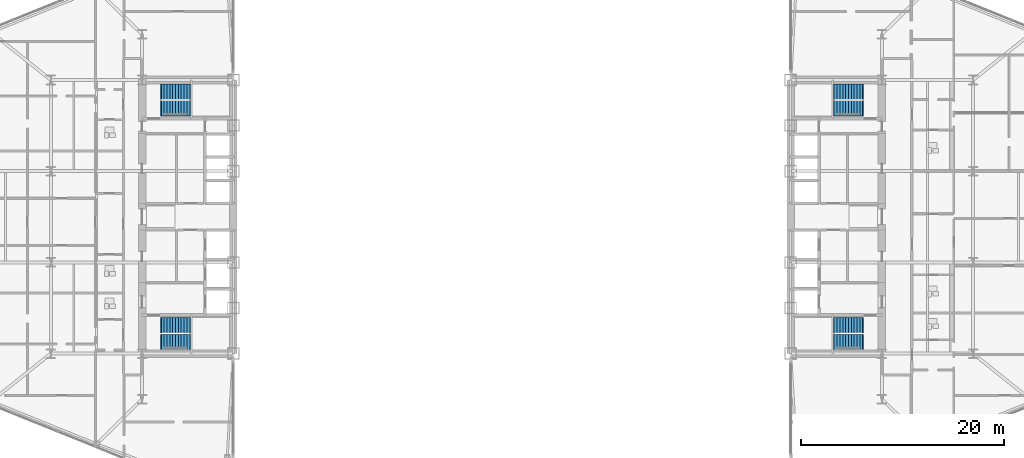
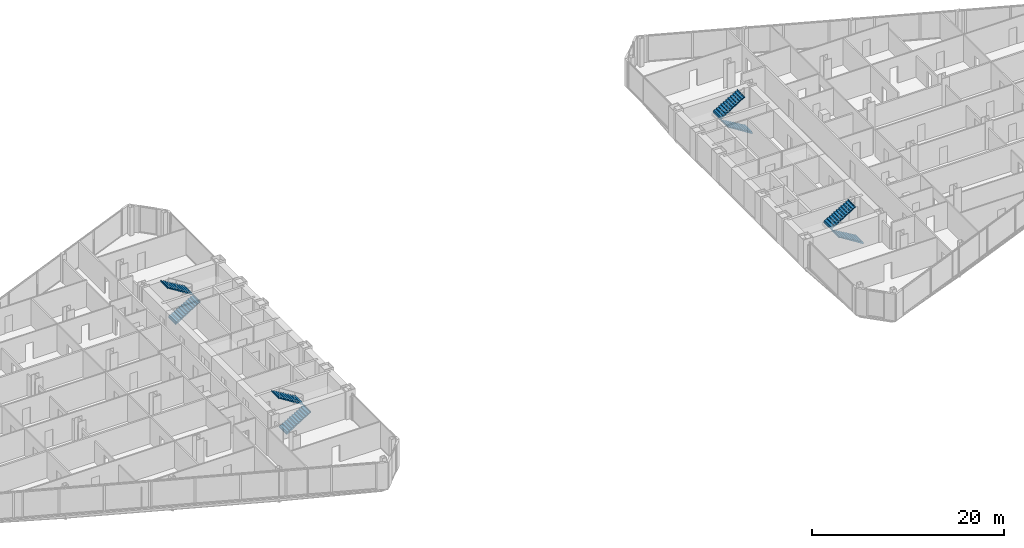
# One storey, part 23 of 25: 8 stair flights, 4 elements without a shape of their own.
"""IFC4 building model written with IfcOpenShell, lengths in metres."""

from ifc_helpers import new_model, si_unit, direction, frame, origin, place, context, subcontext, project, spatial, polyline, outline, extrude, material, type_object, element, aggregate, save


model = new_model("IFC4")

# Units and contexts
model_context = context("Model", 3, precision=1e-05, world=origin(), true_north=direction((0.0, 1.0)))
body_context = subcontext(model_context, "Body", "Model", "MODEL_VIEW")
ifc_project = project(units=[si_unit("LENGTHUNIT", "METRE"), si_unit("AREAUNIT", "SQUARE_METRE"), si_unit("VOLUMEUNIT", "CUBIC_METRE"), si_unit("PLANEANGLEUNIT", "RADIAN"), si_unit("MASSUNIT", "GRAM", prefix="KILO")], contexts=[model_context])

# Site, building, storey
site_placement = place(None, origin())
site = spatial("IfcSite", under=ifc_project, at=site_placement, CompositionType="ELEMENT")
building_placement = place(site_placement, origin())
building = spatial("IfcBuilding", under=site, at=building_placement, Name="Seokmaru Belvedere", CompositionType="ELEMENT")
storey_placement = place(building_placement, frame((0.0, 0.0, 22.5)))
storey = spatial("IfcBuildingStorey", under=building, at=storey_placement, Name="L05", CompositionType="ELEMENT", Elevation=22.5)

# Stair, stair flights
ifc_material = material(Name="Concrete C40 (40 MPa)", Category="concrete")
stair_type = type_object("IfcStairType", Name="Typical Tower Core Dog-Leg Stair 3600", PredefinedType="TWO_STRAIGHT_RUN_STAIR", material=ifc_material)
stair_1_placement = place(storey_placement, origin())
stair_1 = element("IfcStair", 1, at=stair_1_placement, inside=storey, type_object=stair_type, Name="L05 Special Escape Stair ST-W1", PredefinedType="TWO_STRAIGHT_RUN_STAIR")
stair_flight_type = type_object("IfcStairFlightType", Name="Reinforced Concrete Stair Flight 1500", PredefinedType="STRAIGHT", material=ifc_material)
stair_flight_1_placement = place(storey_placement, frame((-34.60009765625, -12.35009765625, 0.0), z_axis=(0.0, 0.0, 1.0), x_axis=(1.0, 0.0, 0.0)))
stair_flight_1 = element("IfcStairFlight", 2, at=stair_flight_1_placement, type_object=stair_flight_type, Name="ST-W1 flight 1", NumberOfRisers=11, NumberOfTreads=10, PredefinedType="STRAIGHT", RiserHeight=0.163636364, TreadLength=0.28, context=body_context, shape_type="SweptSolid", body=[
    extrude(outline(polyline([(-0.080078125, 0.0), (0.0, 0.16357421875), (0.280029296875, 0.16357421875), (0.280029296875, 0.327392578125), (0.56005859375, 0.327392578125), (0.56005859375, 0.490966796875), (0.840087890625, 0.490966796875), (0.840087890625, 0.654541015625), (1.1201171875, 0.654541015625), (1.1201171875, 0.818115234375), (1.39990234375, 0.818115234375), (1.39990234375, 0.98193359375), (1.679931640625, 0.98193359375), (1.679931640625, 1.1455078125), (1.9599609375, 1.1455078125), (1.9599609375, 1.30908203125), (2.239990234375, 1.30908203125), (2.239990234375, 1.47265625), (2.52001953125, 1.47265625), (2.52001953125, 1.636474609375), (2.800048828125, 1.636474609375), (2.800048828125, 1.800048828125), (2.8798828125, 1.800048828125), (2.8798828125, 1.610107421875), (2.800048828125, 1.610107421875), (0.0, -0.159912109375), (-0.080078125, -0.159912109375), (-0.080078125, 0.0)])), frame((0.0, 0.75, 0.0), z_axis=(0.0, -1.0, 0.0), x_axis=(1.0, 0.0, 0.0)), (0.0, 0.0, 1.0), 1.5),
])
stair_flight_2_placement = place(storey_placement, frame((-31.800048828125, -10.7099609375, 1.800048828125), z_axis=(0.0, 0.0, 1.0), x_axis=(-1.0, 0.0, 0.0)))
stair_flight_2 = element("IfcStairFlight", 3, at=stair_flight_2_placement, type_object=stair_flight_type, Name="ST-W1 flight 2", NumberOfRisers=11, NumberOfTreads=10, PredefinedType="STRAIGHT", RiserHeight=0.163636364, TreadLength=0.28, context=body_context, shape_type="SweptSolid", body=[
    extrude(outline(polyline([(-0.080078125, 0.0), (0.0, 0.16357421875), (0.280029296875, 0.16357421875), (0.280029296875, 0.327392578125), (0.56005859375, 0.327392578125), (0.56005859375, 0.490966796875), (0.840087890625, 0.490966796875), (0.840087890625, 0.654541015625), (1.1201171875, 0.654541015625), (1.1201171875, 0.818115234375), (1.39990234375, 0.818115234375), (1.39990234375, 0.98193359375), (1.679931640625, 0.98193359375), (1.679931640625, 1.1455078125), (1.9599609375, 1.1455078125), (1.9599609375, 1.30908203125), (2.239990234375, 1.30908203125), (2.239990234375, 1.47265625), (2.52001953125, 1.47265625), (2.52001953125, 1.636474609375), (2.800048828125, 1.636474609375), (2.800048828125, 1.800048828125), (2.8798828125, 1.800048828125), (2.8798828125, 1.610107421875), (2.800048828125, 1.610107421875), (0.0, -0.159912109375), (-0.080078125, -0.159912109375), (-0.080078125, 0.0)])), frame((0.0, 0.75, 0.0), z_axis=(0.0, -1.0, 0.0), x_axis=(1.0, 0.0, 0.0)), (0.0, 0.0, 1.0), 1.5),
])
aggregate(stair_1, [stair_flight_1, stair_flight_2])

stair_2_placement = place(storey_placement, origin())
stair_2 = element("IfcStair", 4, at=stair_2_placement, inside=storey, type_object=stair_type, Name="L05 Special Escape Stair ST-W2", PredefinedType="TWO_STRAIGHT_RUN_STAIR")
stair_flight_3_placement = place(storey_placement, frame((-34.60009765625, 10.7099609375, 0.0), z_axis=(0.0, 0.0, 1.0), x_axis=(1.0, 0.0, 0.0)))
stair_flight_3 = element("IfcStairFlight", 5, at=stair_flight_3_placement, type_object=stair_flight_type, Name="ST-W2 flight 1", NumberOfRisers=11, NumberOfTreads=10, PredefinedType="STRAIGHT", RiserHeight=0.163636364, TreadLength=0.28, context=body_context, shape_type="SweptSolid", body=[
    extrude(outline(polyline([(-0.080078125, 0.0), (0.0, 0.16357421875), (0.280029296875, 0.16357421875), (0.280029296875, 0.327392578125), (0.56005859375, 0.327392578125), (0.56005859375, 0.490966796875), (0.840087890625, 0.490966796875), (0.840087890625, 0.654541015625), (1.1201171875, 0.654541015625), (1.1201171875, 0.818115234375), (1.39990234375, 0.818115234375), (1.39990234375, 0.98193359375), (1.679931640625, 0.98193359375), (1.679931640625, 1.1455078125), (1.9599609375, 1.1455078125), (1.9599609375, 1.30908203125), (2.239990234375, 1.30908203125), (2.239990234375, 1.47265625), (2.52001953125, 1.47265625), (2.52001953125, 1.636474609375), (2.800048828125, 1.636474609375), (2.800048828125, 1.800048828125), (2.8798828125, 1.800048828125), (2.8798828125, 1.610107421875), (2.800048828125, 1.610107421875), (0.0, -0.159912109375), (-0.080078125, -0.159912109375), (-0.080078125, 0.0)])), frame((0.0, 0.75, 0.0), z_axis=(0.0, -1.0, 0.0), x_axis=(1.0, 0.0, 0.0)), (0.0, 0.0, 1.0), 1.5),
])
stair_flight_4_placement = place(storey_placement, frame((-31.800048828125, 12.35009765625, 1.800048828125), z_axis=(0.0, 0.0, 1.0), x_axis=(-1.0, 0.0, 0.0)))
stair_flight_4 = element("IfcStairFlight", 6, at=stair_flight_4_placement, type_object=stair_flight_type, Name="ST-W2 flight 2", NumberOfRisers=11, NumberOfTreads=10, PredefinedType="STRAIGHT", RiserHeight=0.163636364, TreadLength=0.28, context=body_context, shape_type="SweptSolid", body=[
    extrude(outline(polyline([(-0.080078125, 0.0), (0.0, 0.16357421875), (0.280029296875, 0.16357421875), (0.280029296875, 0.327392578125), (0.56005859375, 0.327392578125), (0.56005859375, 0.490966796875), (0.840087890625, 0.490966796875), (0.840087890625, 0.654541015625), (1.1201171875, 0.654541015625), (1.1201171875, 0.818115234375), (1.39990234375, 0.818115234375), (1.39990234375, 0.98193359375), (1.679931640625, 0.98193359375), (1.679931640625, 1.1455078125), (1.9599609375, 1.1455078125), (1.9599609375, 1.30908203125), (2.239990234375, 1.30908203125), (2.239990234375, 1.47265625), (2.52001953125, 1.47265625), (2.52001953125, 1.636474609375), (2.800048828125, 1.636474609375), (2.800048828125, 1.800048828125), (2.8798828125, 1.800048828125), (2.8798828125, 1.610107421875), (2.800048828125, 1.610107421875), (0.0, -0.159912109375), (-0.080078125, -0.159912109375), (-0.080078125, 0.0)])), frame((0.0, 0.75, 0.0), z_axis=(0.0, -1.0, 0.0), x_axis=(1.0, 0.0, 0.0)), (0.0, 0.0, 1.0), 1.5),
])
aggregate(stair_2, [stair_flight_3, stair_flight_4])

stair_3_placement = place(storey_placement, origin())
stair_3 = element("IfcStair", 7, at=stair_3_placement, inside=storey, type_object=stair_type, Name="L05 Special Escape Stair ST-E1", PredefinedType="TWO_STRAIGHT_RUN_STAIR")
stair_flight_5_placement = place(storey_placement, frame((34.60009765625, -12.35009765625, 0.0), z_axis=(0.0, 0.0, 1.0), x_axis=(-1.0, 0.0, 0.0)))
stair_flight_5 = element("IfcStairFlight", 8, at=stair_flight_5_placement, type_object=stair_flight_type, Name="ST-E1 flight 1", NumberOfRisers=11, NumberOfTreads=10, PredefinedType="STRAIGHT", RiserHeight=0.163636364, TreadLength=0.28, context=body_context, shape_type="SweptSolid", body=[
    extrude(outline(polyline([(-0.080078125, 0.0), (0.0, 0.16357421875), (0.280029296875, 0.16357421875), (0.280029296875, 0.327392578125), (0.56005859375, 0.327392578125), (0.56005859375, 0.490966796875), (0.840087890625, 0.490966796875), (0.840087890625, 0.654541015625), (1.1201171875, 0.654541015625), (1.1201171875, 0.818115234375), (1.39990234375, 0.818115234375), (1.39990234375, 0.98193359375), (1.679931640625, 0.98193359375), (1.679931640625, 1.1455078125), (1.9599609375, 1.1455078125), (1.9599609375, 1.30908203125), (2.239990234375, 1.30908203125), (2.239990234375, 1.47265625), (2.52001953125, 1.47265625), (2.52001953125, 1.636474609375), (2.800048828125, 1.636474609375), (2.800048828125, 1.800048828125), (2.8798828125, 1.800048828125), (2.8798828125, 1.610107421875), (2.800048828125, 1.610107421875), (0.0, -0.159912109375), (-0.080078125, -0.159912109375), (-0.080078125, 0.0)])), frame((0.0, 0.75, 0.0), z_axis=(0.0, -1.0, 0.0), x_axis=(1.0, 0.0, 0.0)), (0.0, 0.0, 1.0), 1.5),
])
stair_flight_6_placement = place(storey_placement, frame((31.800048828125, -10.7099609375, 1.800048828125), z_axis=(0.0, 0.0, 1.0), x_axis=(1.0, 0.0, 0.0)))
stair_flight_6 = element("IfcStairFlight", 9, at=stair_flight_6_placement, type_object=stair_flight_type, Name="ST-E1 flight 2", NumberOfRisers=11, NumberOfTreads=10, PredefinedType="STRAIGHT", RiserHeight=0.163636364, TreadLength=0.28, context=body_context, shape_type="SweptSolid", body=[
    extrude(outline(polyline([(-0.080078125, 0.0), (0.0, 0.16357421875), (0.280029296875, 0.16357421875), (0.280029296875, 0.327392578125), (0.56005859375, 0.327392578125), (0.56005859375, 0.490966796875), (0.840087890625, 0.490966796875), (0.840087890625, 0.654541015625), (1.1201171875, 0.654541015625), (1.1201171875, 0.818115234375), (1.39990234375, 0.818115234375), (1.39990234375, 0.98193359375), (1.679931640625, 0.98193359375), (1.679931640625, 1.1455078125), (1.9599609375, 1.1455078125), (1.9599609375, 1.30908203125), (2.239990234375, 1.30908203125), (2.239990234375, 1.47265625), (2.52001953125, 1.47265625), (2.52001953125, 1.636474609375), (2.800048828125, 1.636474609375), (2.800048828125, 1.800048828125), (2.8798828125, 1.800048828125), (2.8798828125, 1.610107421875), (2.800048828125, 1.610107421875), (0.0, -0.159912109375), (-0.080078125, -0.159912109375), (-0.080078125, 0.0)])), frame((0.0, 0.75, 0.0), z_axis=(0.0, -1.0, 0.0), x_axis=(1.0, 0.0, 0.0)), (0.0, 0.0, 1.0), 1.5),
])
aggregate(stair_3, [stair_flight_5, stair_flight_6])

stair_4_placement = place(storey_placement, origin())
stair_4 = element("IfcStair", 10, at=stair_4_placement, inside=storey, type_object=stair_type, Name="L05 Special Escape Stair ST-E2", PredefinedType="TWO_STRAIGHT_RUN_STAIR")
stair_flight_7_placement = place(storey_placement, frame((34.60009765625, 10.7099609375, 0.0), z_axis=(0.0, 0.0, 1.0), x_axis=(-1.0, 0.0, 0.0)))
stair_flight_7 = element("IfcStairFlight", 11, at=stair_flight_7_placement, type_object=stair_flight_type, Name="ST-E2 flight 1", NumberOfRisers=11, NumberOfTreads=10, PredefinedType="STRAIGHT", RiserHeight=0.163636364, TreadLength=0.28, context=body_context, shape_type="SweptSolid", body=[
    extrude(outline(polyline([(-0.080078125, 0.0), (0.0, 0.16357421875), (0.280029296875, 0.16357421875), (0.280029296875, 0.327392578125), (0.56005859375, 0.327392578125), (0.56005859375, 0.490966796875), (0.840087890625, 0.490966796875), (0.840087890625, 0.654541015625), (1.1201171875, 0.654541015625), (1.1201171875, 0.818115234375), (1.39990234375, 0.818115234375), (1.39990234375, 0.98193359375), (1.679931640625, 0.98193359375), (1.679931640625, 1.1455078125), (1.9599609375, 1.1455078125), (1.9599609375, 1.30908203125), (2.239990234375, 1.30908203125), (2.239990234375, 1.47265625), (2.52001953125, 1.47265625), (2.52001953125, 1.636474609375), (2.800048828125, 1.636474609375), (2.800048828125, 1.800048828125), (2.8798828125, 1.800048828125), (2.8798828125, 1.610107421875), (2.800048828125, 1.610107421875), (0.0, -0.159912109375), (-0.080078125, -0.159912109375), (-0.080078125, 0.0)])), frame((0.0, 0.75, 0.0), z_axis=(0.0, -1.0, 0.0), x_axis=(1.0, 0.0, 0.0)), (0.0, 0.0, 1.0), 1.5),
])
stair_flight_8_placement = place(storey_placement, frame((31.800048828125, 12.35009765625, 1.800048828125), z_axis=(0.0, 0.0, 1.0), x_axis=(1.0, 0.0, 0.0)))
stair_flight_8 = element("IfcStairFlight", 12, at=stair_flight_8_placement, type_object=stair_flight_type, Name="ST-E2 flight 2", NumberOfRisers=11, NumberOfTreads=10, PredefinedType="STRAIGHT", RiserHeight=0.163636364, TreadLength=0.28, context=body_context, shape_type="SweptSolid", body=[
    extrude(outline(polyline([(-0.080078125, 0.0), (0.0, 0.16357421875), (0.280029296875, 0.16357421875), (0.280029296875, 0.327392578125), (0.56005859375, 0.327392578125), (0.56005859375, 0.490966796875), (0.840087890625, 0.490966796875), (0.840087890625, 0.654541015625), (1.1201171875, 0.654541015625), (1.1201171875, 0.818115234375), (1.39990234375, 0.818115234375), (1.39990234375, 0.98193359375), (1.679931640625, 0.98193359375), (1.679931640625, 1.1455078125), (1.9599609375, 1.1455078125), (1.9599609375, 1.30908203125), (2.239990234375, 1.30908203125), (2.239990234375, 1.47265625), (2.52001953125, 1.47265625), (2.52001953125, 1.636474609375), (2.800048828125, 1.636474609375), (2.800048828125, 1.800048828125), (2.8798828125, 1.800048828125), (2.8798828125, 1.610107421875), (2.800048828125, 1.610107421875), (0.0, -0.159912109375), (-0.080078125, -0.159912109375), (-0.080078125, 0.0)])), frame((0.0, 0.75, 0.0), z_axis=(0.0, -1.0, 0.0), x_axis=(1.0, 0.0, 0.0)), (0.0, 0.0, 1.0), 1.5),
])
aggregate(stair_4, [stair_flight_7, stair_flight_8])

save(model, "model.ifc")
